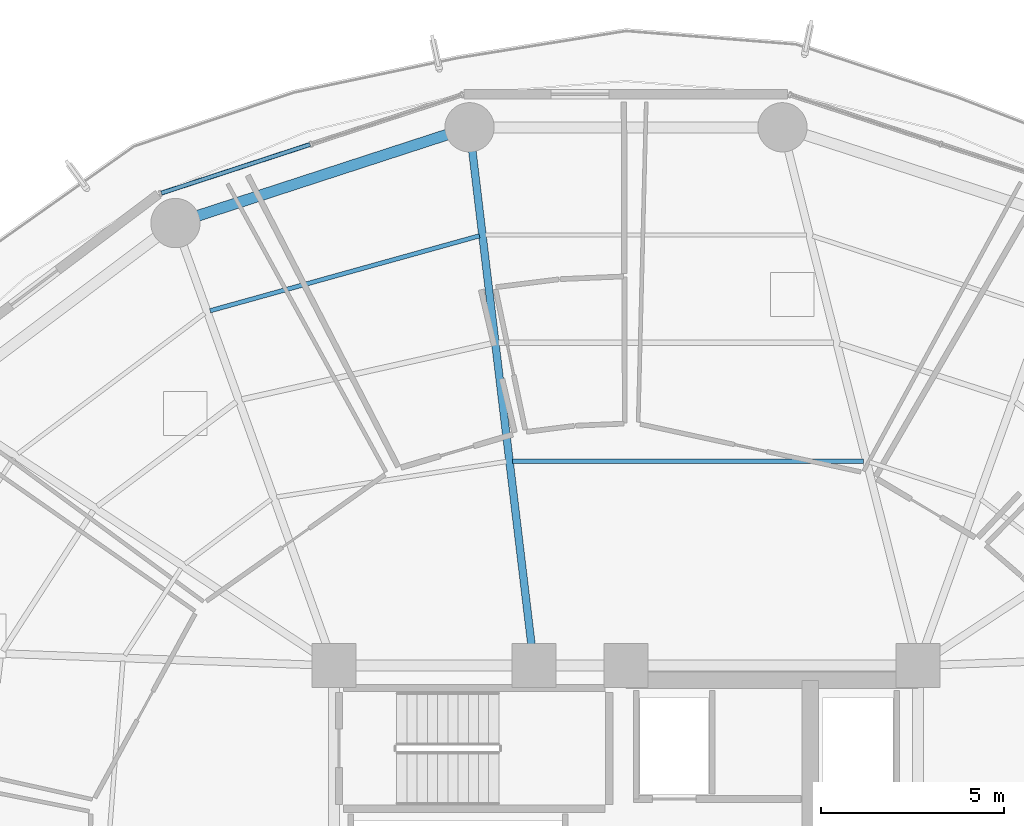
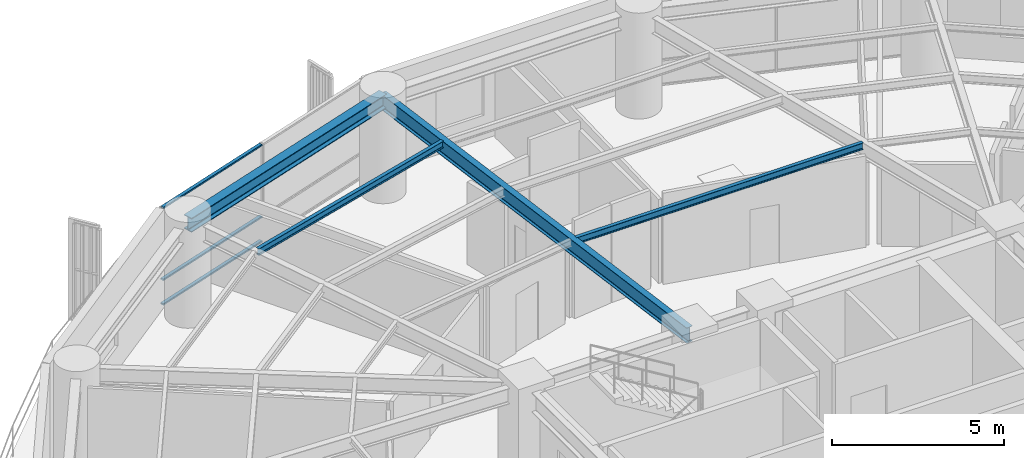
# One storey, part 21 of 35: 4 beams, 3 members, 1 element without a shape of its own.
"""IFC4 building model written with IfcOpenShell, lengths in metres."""

from ifc_helpers import new_model, si_unit, direction, frame, origin, origin_2d, place, context, subcontext, project, spatial, hollow_rectangle, i_section, extrude, material, layer, layer_set, material_profile, profile_set, type_object, element, aggregate, save


model = new_model("IFC4")

# Units and contexts
model_context = context("Model", 3, precision=1e-05, world=origin(), true_north=direction((0.0, 1.0)))
body_context = subcontext(model_context, "Body", "Model", "MODEL_VIEW")
ifc_project = project(units=[si_unit("LENGTHUNIT", "METRE"), si_unit("AREAUNIT", "SQUARE_METRE"), si_unit("VOLUMEUNIT", "CUBIC_METRE"), si_unit("PLANEANGLEUNIT", "RADIAN"), si_unit("MASSUNIT", "GRAM", prefix="KILO")], contexts=[model_context])

# Site, building, storey
site_placement = place(None, origin())
site = spatial("IfcSite", under=ifc_project, at=site_placement, CompositionType="ELEMENT")
building_placement = place(site_placement, origin())
building = spatial("IfcBuilding", under=site, at=building_placement, Name="Kelanora Arch Commons", CompositionType="ELEMENT")
storey_placement = place(building_placement, frame((0.0, 0.0, 121.35009765625)))
storey = spatial("IfcBuildingStorey", under=building, at=storey_placement, Name="L31", CompositionType="ELEMENT", Elevation=121.35009765625)

# Beams
ifc_material_1 = material(Name="Steel S355", Category="steel")
ifc_material_profile_1 = material_profile(ifc_material_1, i_section(OverallWidth=0.1201171875, OverallDepth=0.239990234375, WebThickness=0.006103515625, FlangeThickness=0.009765625, FilletRadius=0.014892578125, at=origin_2d()), Name="IPE240")
ifc_profile_set_1 = profile_set([ifc_material_profile_1], Name="Steel S355")
beam_type_1 = type_object("IfcBeamType", Name="BM-JST-02", PredefinedType="JOIST", material=ifc_profile_set_1)
beam_1_placement = place(storey_placement, frame((80.50341796875, 70.602783203125, 3.369873046875), z_axis=(-1.0, 0.0, 0.0), x_axis=(0.0, -1.0, 0.0)))
element("IfcBeam", 1, at=beam_1_placement, inside=storey, type_object=beam_type_1, Name="Secondary Chord Joist BJA-08 L31", PredefinedType="JOIST", context=body_context, shape_type="SweptSolid", body=[
    extrude(i_section(OverallWidth=0.1201171875, OverallDepth=0.239990234375, WebThickness=0.006103515625, FlangeThickness=0.009765625, FilletRadius=0.014892578125, at=origin_2d()), origin(), (0.0, 0.0, 1.0), 9.609375),
])
beam_2_placement = place(storey_placement, frame((69.985595703125, 76.77294921875, 3.369873046875), z_axis=(-0.963385760896, -0.268119144603, 0.0), x_axis=(0.268119144603, -0.963385760896, 0.0)))
element("IfcBeam", 2, at=beam_2_placement, inside=storey, type_object=beam_type_1, Name="Secondary Chord Joist BJC-10 L31", PredefinedType="JOIST", context=body_context, shape_type="SweptSolid", body=[
    extrude(i_section(OverallWidth=0.1201171875, OverallDepth=0.239990234375, WebThickness=0.006103515625, FlangeThickness=0.009765625, FilletRadius=0.014892578125, at=origin_2d()), origin(), (0.0, 0.0, 1.0), 7.656005859375),
])
ifc_material_profile_2 = material_profile(ifc_material_1, i_section(OverallWidth=0.2099609375, OverallDepth=0.550048828125, WebThickness=0.010986328125, FlangeThickness=0.01708984375, FilletRadius=0.02392578125, at=origin_2d()), Name="IPE550")
ifc_profile_set_2 = profile_set([ifc_material_profile_2], Name="Steel S355")
beam_type_2 = type_object("IfcBeamType", Name="BM-RAD-Z2", PredefinedType="BEAM", material=ifc_profile_set_2)
beam_3_placement = place(storey_placement, frame((71.47998046875, 65.0, 3.21484375), z_axis=(-0.118897572414, 0.992906524943, 0.0), x_axis=(-0.992906524943, -0.118897572414, 0.0)))
element("IfcBeam", 3, at=beam_3_placement, inside=storey, type_object=beam_type_2, Name="Radial Floor Girder BR-10 L31", PredefinedType="BEAM", context=body_context, shape_type="SweptSolid", body=[
    extrude(i_section(OverallWidth=0.2099609375, OverallDepth=0.550048828125, WebThickness=0.010986328125, FlangeThickness=0.01708984375, FilletRadius=0.02392578125, at=origin_2d()), origin(), (0.0, 0.0, 1.0), 14.849853515625),
])
ifc_material_profile_3 = material_profile(ifc_material_1, i_section(OverallWidth=0.300048828125, OverallDepth=0.5, WebThickness=0.014404296875, FlangeThickness=0.028076171875, FilletRadius=0.027099609375, at=origin_2d()), Name="HEB500")
ifc_profile_set_3 = profile_set([ifc_material_profile_3], Name="Steel S355")
beam_type_3 = type_object("IfcBeamType", Name="BM-SPN-Z2", PredefinedType="SPANDREL", material=ifc_profile_set_3)
beam_4_placement = place(storey_placement, frame((69.71435546875, 79.74462890625, 3.239990234375), z_axis=(-0.950856631974, -0.309631499418, 0.0), x_axis=(0.309631499418, -0.950856631974, 0.0)))
element("IfcBeam", 4, at=beam_4_placement, inside=storey, type_object=beam_type_3, Name="Perimeter Spandrel Beam BS-10 L31", PredefinedType="SPANDREL", context=body_context, shape_type="SweptSolid", body=[
    extrude(i_section(OverallWidth=0.300048828125, OverallDepth=0.5, WebThickness=0.014404296875, FlangeThickness=0.028076171875, FilletRadius=0.027099609375, at=origin_2d()), origin(), (0.0, 0.0, 1.0), 8.470703125),
])

# Curtain wall, members
ifc_material_2 = material(Name="Terracotta ceramic-fritted low-E glass and aluminium", Category="masonry")
ifc_layer = layer(ifc_material_2, 0.159912109375)
ifc_layer_set = layer_set([ifc_layer], Name="Terracotta ceramic-fritted low-E glass and aluminium")
curtain_wall_type = type_object("IfcCurtainWallType", Name="CW-SYS-01", PredefinedType="NOTDEFINED", material=ifc_layer_set)
curtain_wall_placement = place(storey_placement, origin())
curtain_wall = element("IfcCurtainWall", 5, at=curtain_wall_placement, inside=storey, type_object=curtain_wall_type, Name="Unitised Curtain Wall L31-B05", PredefinedType="NOTDEFINED")
ifc_material_3 = material(Name="Powder-coated aluminium terracotta", Category="masonry")
ifc_material_profile_4 = material_profile(ifc_material_3, hollow_rectangle(XDim=0.1201171875, YDim=0.06005859375, WallThickness=0.0048828125, InnerFilletRadius=0.0048828125, OuterFilletRadius=0.010009765625, at=origin_2d()), Name="CWT120x60")
ifc_profile_set_4 = profile_set([ifc_material_profile_4], Name="Powder-coated aluminium terracotta")
member_type = type_object("IfcMemberType", Name="CWT-STD", PredefinedType="USERDEFINED", material=ifc_profile_set_4)
member_1_placement = place(storey_placement, frame((65.348876953125, 79.275390625, 0.02978515625), z_axis=(-0.950466230394, -0.310827838008, 0.0), x_axis=(0.310827838008, -0.950466230394, 0.0)))
member_1 = element("IfcMember", 6, at=member_1_placement, type_object=member_type, Name="CW-01 transom 2.1", ObjectType="TRANSOM", PredefinedType="USERDEFINED", context=body_context, shape_type="SweptSolid", body=[
    extrude(hollow_rectangle(XDim=0.1201171875, YDim=0.06005859375, WallThickness=0.0048828125, InnerFilletRadius=0.0048828125, OuterFilletRadius=0.010009765625, at=origin_2d()), origin(), (0.0, 0.0, 1.0), 4.2900390625),
])
member_2_placement = place(storey_placement, frame((65.348876953125, 79.275390625, 0.89990234375), z_axis=(-0.950466230394, -0.310827838008, 0.0), x_axis=(0.310827838008, -0.950466230394, 0.0)))
member_2 = element("IfcMember", 7, at=member_2_placement, type_object=member_type, Name="CW-01 transom 2.2", ObjectType="TRANSOM", PredefinedType="USERDEFINED", context=body_context, shape_type="SweptSolid", body=[
    extrude(hollow_rectangle(XDim=0.1201171875, YDim=0.06005859375, WallThickness=0.0048828125, InnerFilletRadius=0.0048828125, OuterFilletRadius=0.010009765625, at=origin_2d()), origin(), (0.0, 0.0, 1.0), 4.2900390625),
])
member_3_placement = place(storey_placement, frame((65.348876953125, 79.275390625, 3.44482421875), z_axis=(-0.950466230394, -0.310827838008, 0.0), x_axis=(0.310827838008, -0.950466230394, 0.0)))
member_3 = element("IfcMember", 8, at=member_3_placement, type_object=member_type, Name="CW-01 transom 2.3", ObjectType="TRANSOM", PredefinedType="USERDEFINED", context=body_context, shape_type="SweptSolid", body=[
    extrude(hollow_rectangle(XDim=0.1201171875, YDim=0.06005859375, WallThickness=0.0048828125, InnerFilletRadius=0.0048828125, OuterFilletRadius=0.010009765625, at=origin_2d()), origin(), (0.0, 0.0, 1.0), 4.2900390625),
])
aggregate(curtain_wall, [member_1, member_2, member_3])

save(model, "model.ifc")
